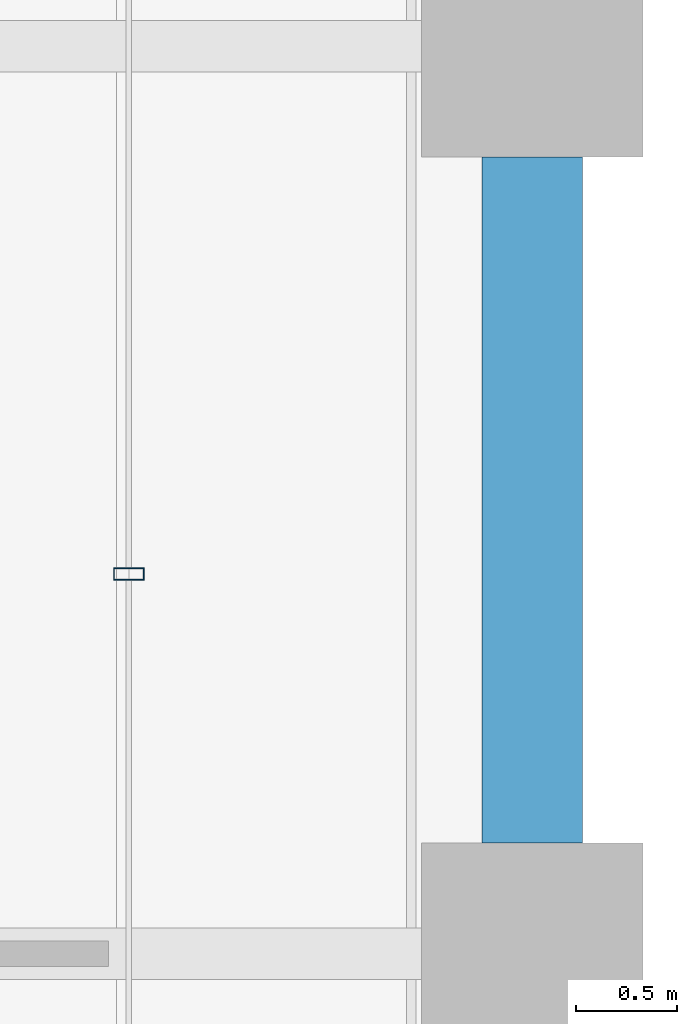
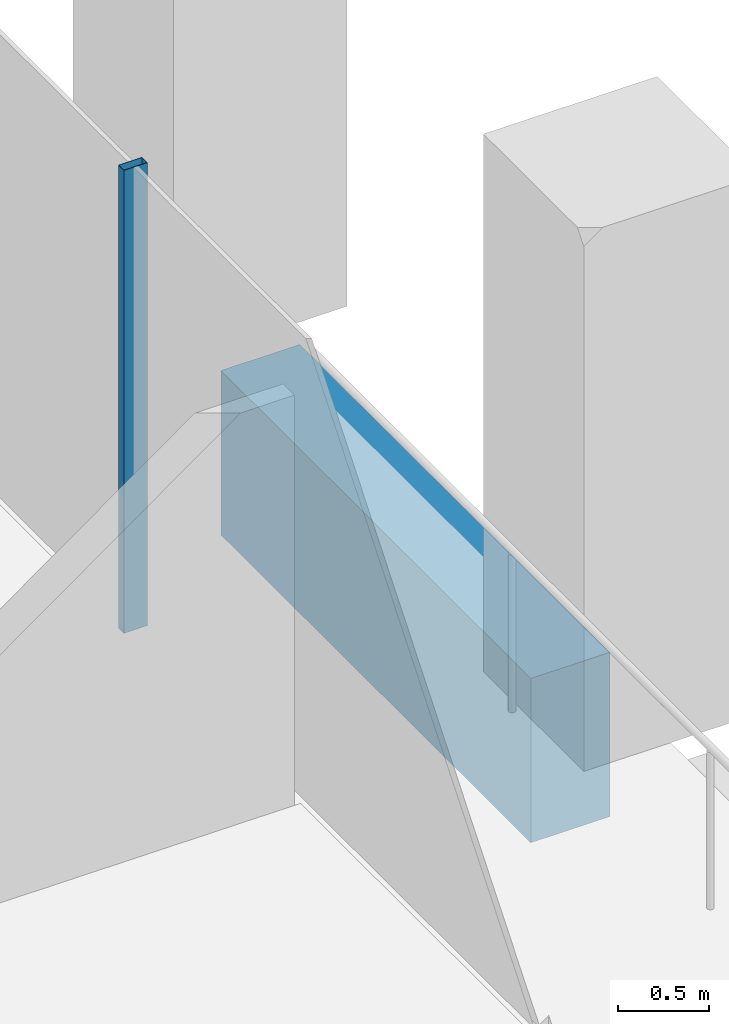
# One storey, part 20 of 56: 1 beam, 1 member, 1 element without a shape of its own.
"""IFC4 building model written with IfcOpenShell, lengths in metres."""

from ifc_helpers import new_model, si_unit, direction, frame, origin, origin_2d, place, context, subcontext, project, spatial, rectangle, hollow_rectangle, extrude, material, material_profile, profile_set, type_object, element, aggregate, save


model = new_model("IFC4")

# Units and contexts
model_context = context("Model", 3, precision=1e-05, world=origin(), true_north=direction((0.0, 1.0)))
body_context = subcontext(model_context, "Body", "Model", "MODEL_VIEW")
ifc_project = project(units=[si_unit("LENGTHUNIT", "METRE"), si_unit("AREAUNIT", "SQUARE_METRE"), si_unit("VOLUMEUNIT", "CUBIC_METRE"), si_unit("PLANEANGLEUNIT", "RADIAN"), si_unit("MASSUNIT", "GRAM", prefix="KILO")], contexts=[model_context])

# Site, building, storey
site_placement = place(None, origin())
site = spatial("IfcSite", under=ifc_project, at=site_placement, CompositionType="ELEMENT")
building_placement = place(site_placement, origin())
building = spatial("IfcBuilding", under=site, at=building_placement, Name="Altepetl Exchange Towers", CompositionType="ELEMENT")
storey_placement = place(building_placement, frame((0.0, 0.0, 79.800048828125)))
storey = spatial("IfcBuildingStorey", under=building, at=storey_placement, Name="L19", CompositionType="ELEMENT", Elevation=79.800048828125)

# Curtain wall, member
ifc_material_1 = material(Name="Aluminium 6063-T6 glazing", Category="aluminium")
curtain_wall_type = type_object("IfcCurtainWallType", Name="Loggia glazing system", PredefinedType="NOTDEFINED", material=ifc_material_1)
curtain_wall_placement = place(storey_placement, origin())
curtain_wall = element("IfcCurtainWall", 1, at=curtain_wall_placement, inside=storey, type_object=curtain_wall_type, Name="CW1 run", PredefinedType="NOTDEFINED")
ifc_material_2 = material(Name="Aluminium 6063-T6", Category="aluminium")
ifc_material_profile_1 = material_profile(ifc_material_2, hollow_rectangle(XDim=0.06005859375, YDim=0.14990234375, WallThickness=0.0029296875, at=origin_2d()), Name="Mullion 60x150 aluminium")
ifc_profile_set_1 = profile_set([ifc_material_profile_1], Name="Aluminium 6063-T6")
member_type = type_object("IfcMemberType", Name="Mullion 60x150 aluminium", PredefinedType="MULLION", material=ifc_profile_set_1)
member_placement = place(storey_placement, frame((70.0, 46.883056640625, 0.0), z_axis=(0.0, 0.0, 1.0), x_axis=(0.0, 1.0, 0.0)))
member = element("IfcMember", 2, at=member_placement, type_object=member_type, Name="MU1 mullion", PredefinedType="MULLION", context=body_context, shape_type="SweptSolid", body=[
    extrude(hollow_rectangle(XDim=0.06005859375, YDim=0.14990234375, WallThickness=0.0029296875, at=origin_2d()), origin(), (0.0, 0.0, 1.0), 3.099853515625),
])
aggregate(curtain_wall, [member])

# Beam
ifc_material_3 = material(Name="Concrete C50/60 precast with cantera amarilla facing", Category="concrete")
ifc_material_profile_2 = material_profile(ifc_material_3, rectangle(XDim=0.5, YDim=1.10009765625, at=origin_2d()), Name="500 x 1100")
ifc_profile_set_2 = profile_set([ifc_material_profile_2], Name="Concrete C50/60 precast with cantera amarilla facing")
beam_type = type_object("IfcBeamType", Name="Spandrel beam 500x1100 cantera amarilla", PredefinedType="SPANDREL", material=ifc_profile_set_2)
beam_placement = place(storey_placement, frame((72.0, 45.550048828125, -0.699951171875), z_axis=(0.0, 1.0, 0.0), x_axis=(-1.0, 0.0, 0.0)))
element("IfcBeam", 3, at=beam_placement, inside=storey, type_object=beam_type, Name="sp:A:L19:015", PredefinedType="SPANDREL", context=body_context, shape_type="SweptSolid", body=[
    extrude(rectangle(XDim=0.5, YDim=1.10009765625, at=origin_2d()), origin(), (0.0, 0.0, 1.0), 3.39990234375),
])

save(model, "model.ifc")
